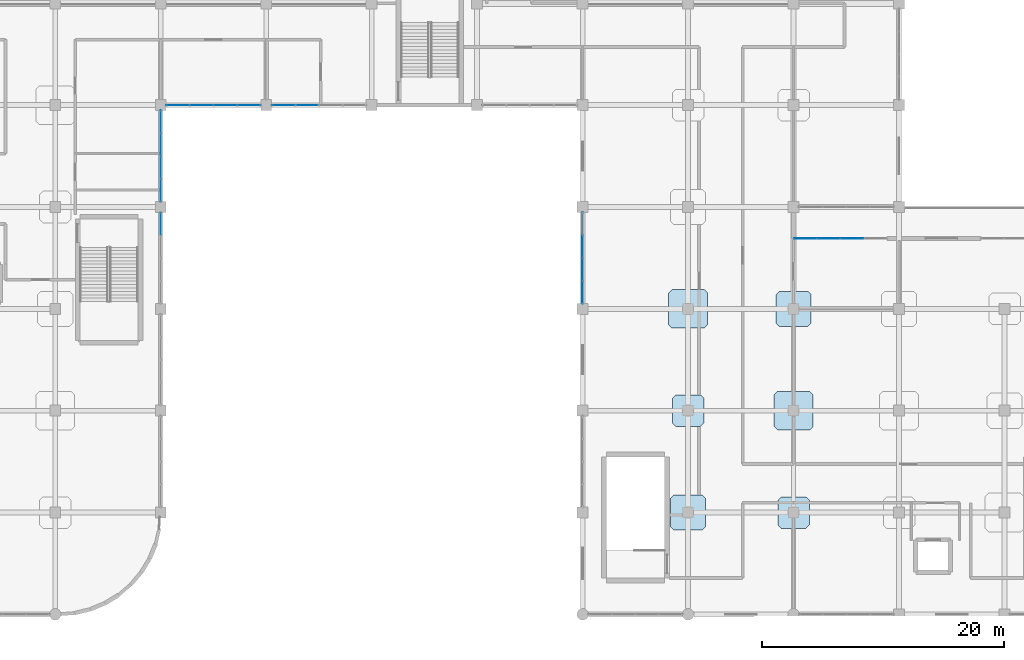
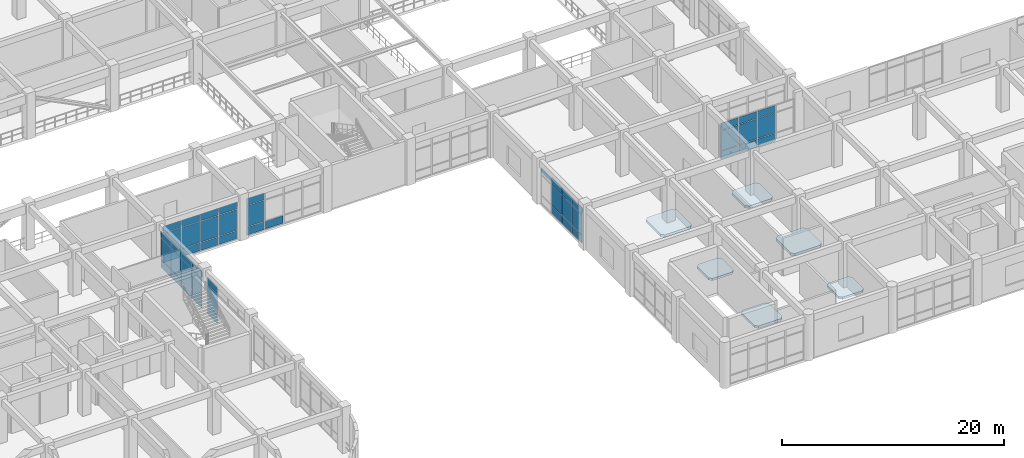
# One storey, part 90 of 120: 52 plates, 6 slabs, 6 elements without a shape of their own.
"""IFC4 building model written with IfcOpenShell, lengths in metres."""

import ifcopenshell
import ifcopenshell.guid

model = None  # the IFC model being written
_history = None  # IfcOwnerHistory: only IFC2X3 demands one
_inside = {}  # id of a spatial element -> (the spatial element, [elements in it])
_under = {}  # id of a project, library or spatial element -> (it, [spatial elements below it])
_declared = {}  # id of a project -> (the project, [libraries it declares])
_typed = {}  # id of a type object -> (the type object, [elements of that type])
_made_of = {}  # id of a material, layer set ... -> (it, [elements and type objects made of it])


def new_model(schema):
    """Start an empty IFC model of exactly this schema.

    Asked for "IFC4X3", IfcOpenShell would pick the latest addendum, in which some entities
    have other attributes; the version numbers below select the first issue.
    IFC2X3 requires an IfcOwnerHistory on every rooted entity: one is made here for all.
    """
    global model, _history
    if schema == "IFC4X3":
        model = ifcopenshell.file(schema_version=(4, 3, 0, 0))
    else:
        model = ifcopenshell.file(schema=schema)
    _inside.clear()
    _under.clear()
    _declared.clear()
    _typed.clear()
    _made_of.clear()
    _history = None
    if model.schema == "IFC2X3":
        org = make("IfcOrganization", Name="unknown")
        user = make(
            "IfcPersonAndOrganization",
            ThePerson=make("IfcPerson", FamilyName="unknown"),
            TheOrganization=org,
        )
        app = make(
            "IfcApplication",
            ApplicationDeveloper=org,
            Version="unknown",
            ApplicationFullName="unknown",
            ApplicationIdentifier="unknown",
        )
        _history = make(
            "IfcOwnerHistory",
            OwningUser=user,
            OwningApplication=app,
            ChangeAction="ADDED",
            CreationDate=0,
        )
    return model


def make(cls, **values):
    """One entity of the class cls with the attributes given. An attribute that is None is left unset."""
    return model.create_entity(
        cls, **{name: value for name, value in values.items() if value is not None}
    )


def rooted(cls, **values):
    """An entity with a GlobalId (a new one), such as an element, a storey or a relation."""
    return make(cls, GlobalId=ifcopenshell.guid.new(), OwnerHistory=_history, **values)


def si_unit(unit_type, name, prefix=None):
    """IfcSIUnit, for example si_unit("LENGTHUNIT", "METRE", prefix="MILLI")."""
    return make("IfcSIUnit", UnitType=unit_type, Prefix=prefix, Name=name)


def derived_unit(unit_type, elements):
    """IfcDerivedUnit: a product of units, each with its exponent."""
    return make(
        "IfcDerivedUnit",
        Elements=[
            make("IfcDerivedUnitElement", Unit=unit, Exponent=power)
            for unit, power in elements
        ],
        UnitType=unit_type,
    )


def assignment(units):
    """IfcUnitAssignment: the units of a project."""
    return None if units is None else make("IfcUnitAssignment", Units=units)


def point(xyz):
    """IfcCartesianPoint."""
    return None if xyz is None else make("IfcCartesianPoint", Coordinates=xyz)


def direction(xyz):
    """IfcDirection."""
    return None if xyz is None else make("IfcDirection", DirectionRatios=xyz)


def frame(location, z_axis=None, x_axis=None):
    """IfcAxis2Placement3D, a coordinate frame: its origin and axes. An axis left out is left unset."""
    return make(
        "IfcAxis2Placement3D",
        Location=point(location),
        Axis=direction(z_axis),
        RefDirection=direction(x_axis),
    )


def frame_2d(location, x_axis=None):
    """IfcAxis2Placement2D, a coordinate frame in the plane: its origin and x axis."""
    return make(
        "IfcAxis2Placement2D", Location=point(location), RefDirection=direction(x_axis)
    )


def origin():
    """The frame at (0, 0, 0) with its axes left unset."""
    return frame((0.0, 0.0, 0.0))


def origin_2d():
    """The frame at (0, 0) in the plane with its x axis left unset."""
    return frame_2d((0.0, 0.0))


def place(relative_to, where):
    """IfcLocalPlacement: puts the frame where relative to a parent placement (None: the world)."""
    return make(
        "IfcLocalPlacement", PlacementRelTo=relative_to, RelativePlacement=where
    )


def context(
    kind, dimensions, precision=None, world=None, true_north=None, identifier=None
):
    """IfcGeometricRepresentationContext, for example the 3D "Model" context."""
    return make(
        "IfcGeometricRepresentationContext",
        ContextIdentifier=identifier,
        ContextType=kind,
        CoordinateSpaceDimension=dimensions,
        Precision=precision,
        WorldCoordinateSystem=world,
        TrueNorth=true_north,
    )


def subcontext(parent, identifier, kind, view, scale=None):
    """IfcGeometricRepresentationSubContext, for example "Body" below "Model"."""
    return make(
        "IfcGeometricRepresentationSubContext",
        ContextIdentifier=identifier,
        ContextType=kind,
        ParentContext=parent,
        TargetScale=scale,
        TargetView=view,
    )


def project(units=None, contexts=None):
    """IfcProject with its units and contexts."""
    return rooted(
        "IfcProject",
        Name="project",
        RepresentationContexts=contexts,
        UnitsInContext=assignment(units),
    )


def spatial(cls, under=None, at=None, **own):
    """A site, building, storey or space (cls), placed at a placement, below another one or the project."""
    s = rooted(cls, ObjectPlacement=at, **own)
    if under is not None:
        _under.setdefault(under.id(), (under, []))[1].append(s)
    return s


def polyline(points):
    """IfcPolyline through the points."""
    return make("IfcPolyline", Points=[point(p) for p in points])


def profile(cls, at=None, kind="AREA", **sizes):
    """A parametric profile (cls). Its sizes go by their IFC names, for example OverallWidth=200.0."""
    return make(cls, ProfileType=kind, Position=at, **sizes)


def rectangle(**sizes):
    """IfcRectangleProfileDef."""
    return profile("IfcRectangleProfileDef", **sizes)


def outline(outer, holes=None, kind="AREA"):
    """IfcArbitraryClosedProfileDef: a profile drawn as a closed curve; with holes, ...WithVoids."""
    if holes is None:
        return make("IfcArbitraryClosedProfileDef", ProfileType=kind, OuterCurve=outer)
    return make(
        "IfcArbitraryProfileDefWithVoids",
        ProfileType=kind,
        OuterCurve=outer,
        InnerCurves=holes,
    )


def extrude(swept, where, along, depth):
    """IfcExtrudedAreaSolid: the profile swept, set in the frame where, extruded along a direction by depth."""
    return make(
        "IfcExtrudedAreaSolid",
        SweptArea=swept,
        Position=where,
        ExtrudedDirection=direction(along),
        Depth=depth,
    )


def shape(context_of_items, identifier, shape_type, items):
    """IfcShapeRepresentation: the items that make up one representation, for example the "Body"."""
    return make(
        "IfcShapeRepresentation",
        ContextOfItems=context_of_items,
        RepresentationIdentifier=identifier,
        RepresentationType=shape_type,
        Items=items,
    )


def material(Name=None, Category=None):
    """IfcMaterial."""
    return make("IfcMaterial", Name=Name, Category=Category)


def layer(
    of_material, thickness, ventilated=None, Name=None, Category=None, Priority=None
):
    """IfcMaterialLayer: one layer of a wall or slab, of a material (None: an air gap)."""
    return make(
        "IfcMaterialLayer",
        Material=of_material,
        LayerThickness=thickness,
        IsVentilated=ventilated,
        Name=Name,
        Category=Category,
        Priority=Priority,
    )


def layer_set(layers, Name=None):
    """IfcMaterialLayerSet."""
    return make("IfcMaterialLayerSet", MaterialLayers=layers, LayerSetName=Name)


def made_of(thing, what):
    """Note that an element or type object is made of a material, layer set ...; save() writes the relation."""
    if what is not None:
        _made_of.setdefault(what.id(), (what, []))[1].append(thing)
    return thing


def type_object(cls, material=None, **own):
    """A type object (cls), such as IfcWallType, which elements share."""
    return made_of(rooted(cls, **own), material)


def element(
    cls,
    number,
    at=None,
    inside=None,
    cuts=None,
    type_object=None,
    material=None,
    context=None,
    identifier="Body",
    shape_type=None,
    held_by="IfcProductDefinitionShape",
    body=None,
    shapes=None,
    **own,
):
    """One element of the class cls, such as IfcWall. Its Tag is "e" and its number.

    at: its placement. inside: the storey or other place that contains it. cuts: it is an
    opening in that element (IfcRelVoidsElement). A single representation is given by context,
    identifier, shape_type and body (its items); several are given by shapes. held_by: the class
    of the entity that holds the representations. save() writes the other relations.
    """
    e = rooted(cls, Tag="e%d" % number, ObjectPlacement=at, **own)
    if body is not None:
        shapes = [shape(context, identifier, shape_type, body)]
    if shapes is not None:
        e.Representation = make(held_by, Representations=shapes)
    if inside is not None:
        _inside.setdefault(inside.id(), (inside, []))[1].append(e)
    if cuts is not None:
        rooted(
            "IfcRelVoidsElement", RelatingBuildingElement=cuts, RelatedOpeningElement=e
        )
    if type_object is not None:
        _typed.setdefault(type_object.id(), (type_object, []))[1].append(e)
    return made_of(e, material)


def aggregate(whole, parts):
    """IfcRelAggregates: a whole, such as a stair, and the parts it consists of."""
    return rooted("IfcRelAggregates", RelatingObject=whole, RelatedObjects=parts)


def save(model, path):
    """Write the relations noted so far, then the file.

    IfcRelAggregates (storeys below a building ...), IfcRelContainedInSpatialStructure (elements
    in a storey), IfcRelDefinesByType, IfcRelAssociatesMaterial and IfcRelDeclares: one each for
    every whole, place, type object, material and project.
    """
    for whole, parts in _under.values():
        aggregate(whole, parts)
    for where, things in _inside.values():
        rooted(
            "IfcRelContainedInSpatialStructure",
            RelatedElements=things,
            RelatingStructure=where,
        )
    for kind, things in _typed.values():
        rooted("IfcRelDefinesByType", RelatedObjects=things, RelatingType=kind)
    for what, things in _made_of.values():
        rooted("IfcRelAssociatesMaterial", RelatedObjects=things, RelatingMaterial=what)
    for by, libraries in _declared.values():
        rooted("IfcRelDeclares", RelatingContext=by, RelatedDefinitions=libraries)
    model.write(path)


model = new_model("IFC4")

# Units and contexts
model_context = context("Model", 3, precision=1e-05, world=origin(), true_north=direction((0.0, 1.0)))
body_context = subcontext(model_context, "Body", "Model", "MODEL_VIEW")
ifc_project = project(units=[si_unit("LENGTHUNIT", "METRE"), si_unit("AREAUNIT", "SQUARE_METRE"), si_unit("VOLUMEUNIT", "CUBIC_METRE"), si_unit("PLANEANGLEUNIT", "RADIAN"), si_unit("MASSUNIT", "GRAM", prefix="KILO"), derived_unit("THERMALTRANSMITTANCEUNIT", [(si_unit("MASSUNIT", "GRAM", prefix="KILO"), 1), (si_unit("TIMEUNIT", "SECOND"), -3), (si_unit("THERMODYNAMICTEMPERATUREUNIT", "KELVIN"), -1)])], contexts=[model_context])

# Site, building, storey
site_placement = place(None, origin())
site = spatial("IfcSite", under=ifc_project, at=site_placement, CompositionType="ELEMENT")
building_placement = place(site_placement, origin())
building = spatial("IfcBuilding", under=site, at=building_placement, Name="Qinzheling Arcade Emporium", CompositionType="ELEMENT")
storey_placement = place(building_placement, frame((0.0, 0.0, 11.39990234375)))
storey = spatial("IfcBuildingStorey", under=building, at=storey_placement, Name="L03", CompositionType="ELEMENT", Elevation=11.39990234375)

# Slabs
ifc_material_1 = material(Name="Concrete C40", Category="concrete")
ifc_layer_1 = layer(ifc_material_1, 0.235107421875, Name="Concrete C40", Category="concrete")
ifc_layer_set_1 = layer_set([ifc_layer_1], Name="Concrete C40")
slab_type_1 = type_object("IfcSlabType", Name="Column Head Drop Panel 2600x2600x235 C40", PredefinedType="USERDEFINED", material=ifc_layer_set_1)
slab_1_placement = place(storey_placement, frame((0.0, 0.0, -0.514892578125)))
element("IfcSlab", 1, at=slab_1_placement, inside=storey, type_object=slab_type_1, Name="Column Drop Panel DP-L03-14-C", ObjectType="DROP_PANEL", PredefinedType="USERDEFINED", context=body_context, shape_type="SweptSolid", body=[
    extrude(outline(polyline([(112.080078125, 15.5), (114.1201171875, 15.5), (114.39990234375, 15.780029296875), (114.39990234375, 17.820068359375), (114.1201171875, 18.10009765625), (112.080078125, 18.10009765625), (111.800048828125, 17.820068359375), (111.800048828125, 15.780029296875), (112.080078125, 15.5)])), origin(), (0.0, 0.0, 1.0), 0.235107421875),
])
slab_2_placement = place(storey_placement, frame((0.0, 0.0, -0.52978515625)))
element("IfcSlab", 2, at=slab_2_placement, inside=storey, type_object=slab_type_1, Name="Column Drop Panel DP-L03-15-B", ObjectType="DROP_PANEL", PredefinedType="USERDEFINED", context=body_context, shape_type="SweptSolid", body=[
    extrude(outline(polyline([(120.780029296875, 7.10009765625), (122.820068359375, 7.10009765625), (123.10009765625, 7.3798828125), (123.10009765625, 9.419921875), (122.820068359375, 9.699951171875), (120.780029296875, 9.699951171875), (120.5, 9.419921875), (120.5, 7.3798828125), (120.780029296875, 7.10009765625)])), origin(), (0.0, 0.0, 1.0), 0.23486328125),
])
ifc_layer_2 = layer(ifc_material_1, 0.27001953125, Name="Concrete C40", Category="concrete")
ifc_layer_set_2 = layer_set([ifc_layer_2], Name="Concrete C40")
slab_type_2 = type_object("IfcSlabType", Name="Column Head Drop Panel 2900x2900x270 C40", PredefinedType="USERDEFINED", material=ifc_layer_set_2)
slab_3_placement = place(storey_placement, frame((0.0, 0.0, -0.5498046875)))
element("IfcSlab", 3, at=slab_3_placement, inside=storey, type_object=slab_type_2, Name="Column Drop Panel DP-L03-14-B", ObjectType="DROP_PANEL", PredefinedType="USERDEFINED", context=body_context, shape_type="SweptSolid", body=[
    extrude(outline(polyline([(111.929931640625, 6.949951171875), (114.27001953125, 6.949951171875), (114.550048828125, 7.22998046875), (114.550048828125, 9.570068359375), (114.27001953125, 9.85009765625), (111.929931640625, 9.85009765625), (111.64990234375, 9.570068359375), (111.64990234375, 7.22998046875), (111.929931640625, 6.949951171875)])), origin(), (0.0, 0.0, 1.0), 0.27001953125),
])
slab_4_placement = place(storey_placement, frame((0.0, 0.0, -0.56494140625)))
element("IfcSlab", 4, at=slab_4_placement, inside=storey, type_object=slab_type_2, Name="Column Drop Panel DP-L03-15-D", ObjectType="DROP_PANEL", PredefinedType="USERDEFINED", context=body_context, shape_type="SweptSolid", body=[
    extrude(outline(polyline([(120.6298828125, 23.75), (122.969970703125, 23.75), (123.25, 24.030029296875), (123.25, 26.3701171875), (122.969970703125, 26.64990234375), (120.6298828125, 26.64990234375), (120.35009765625, 26.3701171875), (120.35009765625, 24.030029296875), (120.6298828125, 23.75)])), origin(), (0.0, 0.0, 1.0), 0.27001953125),
])
ifc_layer_3 = layer(ifc_material_1, 0.300048828125, Name="Concrete C40", Category="concrete")
ifc_layer_set_3 = layer_set([ifc_layer_3], Name="Concrete C40")
slab_type_3 = type_object("IfcSlabType", Name="Column Head Drop Panel 3200x3200x300 C40", PredefinedType="USERDEFINED", material=ifc_layer_set_3)
slab_5_placement = place(storey_placement, frame((0.0, 0.0, -0.579833984375)))
element("IfcSlab", 5, at=slab_5_placement, inside=storey, type_object=slab_type_3, Name="Column Drop Panel DP-L03-14-D", ObjectType="DROP_PANEL", PredefinedType="USERDEFINED", context=body_context, shape_type="SweptSolid", body=[
    extrude(outline(polyline([(111.780029296875, 23.60009765625), (114.419921875, 23.60009765625), (114.699951171875, 23.8798828125), (114.699951171875, 26.52001953125), (114.419921875, 26.800048828125), (111.780029296875, 26.800048828125), (111.5, 26.52001953125), (111.5, 23.8798828125), (111.780029296875, 23.60009765625)])), origin(), (0.0, 0.0, 1.0), 0.300048828125),
])
slab_6_placement = place(storey_placement, frame((0.0, 0.0, -0.594970703125)))
element("IfcSlab", 6, at=slab_6_placement, inside=storey, type_object=slab_type_3, Name="Column Drop Panel DP-L03-15-C", ObjectType="DROP_PANEL", PredefinedType="USERDEFINED", context=body_context, shape_type="SweptSolid", body=[
    extrude(outline(polyline([(120.47998046875, 15.199951171875), (123.1201171875, 15.199951171875), (123.39990234375, 15.47998046875), (123.39990234375, 18.1201171875), (123.1201171875, 18.39990234375), (120.47998046875, 18.39990234375), (120.199951171875, 18.1201171875), (120.199951171875, 15.47998046875), (120.47998046875, 15.199951171875)])), origin(), (0.0, 0.0, 1.0), 0.300048828125),
])

# Curtain wall, plates
ifc_material_2 = material(Name="Anodised aluminium and solar-control double glazing", Category="aluminium")
ifc_layer_4 = layer(ifc_material_2, 0.159912109375, Name="Anodised aluminium and solar-control double glazing", Category="aluminium")
ifc_layer_set_4 = layer_set([ifc_layer_4], Name="Anodised aluminium and solar-control double glazing")
curtain_wall_type_1 = type_object("IfcCurtainWallType", Name="Atrium Clerestory Curtain Wall", PredefinedType="NOTDEFINED", material=ifc_layer_set_4)
curtain_wall_1_placement = place(storey_placement, origin())
curtain_wall_1 = element("IfcCurtainWall", 7, at=curtain_wall_1_placement, inside=storey, type_object=curtain_wall_type_1, Name="Curtain Wall CW-L03-143", PredefinedType="NOTDEFINED")
ifc_material_3 = material(Name="Laminated solar-control double glazing", Category="glass")
ifc_layer_5 = layer(ifc_material_3, 0.02197265625, Name="Laminated solar-control double glazing", Category="glass")
ifc_layer_set_5 = layer_set([ifc_layer_5], Name="Laminated solar-control double glazing")
plate_type_1 = type_object("IfcPlateType", Name="Low-E Double Glazed Curtain Panel 22mm", PredefinedType="CURTAIN_PANEL", material=ifc_layer_set_5)
plate_1_placement = place(storey_placement, frame((81.675537109375, 42.0, 0.06005859375), z_axis=(0.0, 0.0, 1.0), x_axis=(-1.0, 0.0, 0.0)))
plate_1 = element("IfcPlate", 8, at=plate_1_placement, type_object=plate_type_1, Name="CW03 panel 3.1", PredefinedType="CURTAIN_PANEL", context=body_context, shape_type="SweptSolid", body=[
    extrude(rectangle(XDim=1.888916015625, YDim=0.02197265625, at=origin_2d()), origin(), (0.0, 0.0, 1.0), 0.860107421875),
])
plate_2_placement = place(storey_placement, frame((79.741455078125, 42.0, 0.06005859375), z_axis=(0.0, 0.0, 1.0), x_axis=(-1.0, 0.0, 0.0)))
plate_2 = element("IfcPlate", 9, at=plate_2_placement, type_object=plate_type_1, Name="CW03 panel 4.1", PredefinedType="CURTAIN_PANEL", context=body_context, shape_type="SweptSolid", body=[
    extrude(rectangle(XDim=1.85888671875, YDim=0.02197265625, at=origin_2d()), origin(), (0.0, 0.0, 1.0), 0.860107421875),
])
plate_3_placement = place(storey_placement, frame((79.741455078125, 42.0, 0.980224609375), z_axis=(0.0, 0.0, 1.0), x_axis=(-1.0, 0.0, 0.0)))
plate_3 = element("IfcPlate", 10, at=plate_3_placement, type_object=plate_type_1, Name="CW03 panel 4.2", PredefinedType="CURTAIN_PANEL", context=body_context, shape_type="SweptSolid", body=[
    extrude(rectangle(XDim=1.85888671875, YDim=0.02197265625, at=origin_2d()), origin(), (0.0, 0.0, 1.0), 2.294921875),
])
plate_4_placement = place(storey_placement, frame((79.741455078125, 42.0, 3.3349609375), z_axis=(0.0, 0.0, 1.0), x_axis=(-1.0, 0.0, 0.0)))
plate_4 = element("IfcPlate", 11, at=plate_4_placement, type_object=plate_type_1, Name="CW03 panel 4.3", PredefinedType="CURTAIN_PANEL", context=body_context, shape_type="SweptSolid", body=[
    extrude(rectangle(XDim=1.85888671875, YDim=0.02197265625, at=origin_2d()), origin(), (0.0, 0.0, 1.0), 0.760009765625),
])
aggregate(curtain_wall_1, [plate_1, plate_2, plate_3, plate_4])

curtain_wall_2_placement = place(storey_placement, origin())
curtain_wall_2 = element("IfcCurtainWall", 12, at=curtain_wall_2_placement, inside=storey, type_object=curtain_wall_type_1, Name="Curtain Wall CW-L03-144", PredefinedType="NOTDEFINED")
ifc_layer_6 = layer(ifc_material_3, 0.02392578125, Name="Laminated solar-control double glazing", Category="glass")
ifc_layer_set_6 = layer_set([ifc_layer_6], Name="Laminated solar-control double glazing")
plate_type_2 = type_object("IfcPlateType", Name="Low-E Double Glazed Curtain Panel 24mm", PredefinedType="CURTAIN_PANEL", material=ifc_layer_set_6)
plate_5_placement = place(storey_placement, frame((76.8583984375, 42.0, 0.06005859375), z_axis=(0.0, 0.0, 1.0), x_axis=(-1.0, 0.0, 0.0)))
plate_5 = element("IfcPlate", 13, at=plate_5_placement, type_object=plate_type_2, Name="CW03 panel 1.1", PredefinedType="CURTAIN_PANEL", context=body_context, shape_type="SweptSolid", body=[
    extrude(rectangle(XDim=1.85888671875, YDim=0.02392578125, at=origin_2d()), origin(), (0.0, 0.0, 1.0), 0.860107421875),
])
plate_6_placement = place(storey_placement, frame((76.8583984375, 42.0, 0.980224609375), z_axis=(0.0, 0.0, 1.0), x_axis=(-1.0, 0.0, 0.0)))
plate_6 = element("IfcPlate", 14, at=plate_6_placement, type_object=plate_type_2, Name="CW03 panel 1.2", PredefinedType="CURTAIN_PANEL", context=body_context, shape_type="SweptSolid", body=[
    extrude(rectangle(XDim=1.85888671875, YDim=0.02392578125, at=origin_2d()), origin(), (0.0, 0.0, 1.0), 2.294921875),
])
plate_7_placement = place(storey_placement, frame((76.8583984375, 42.0, 3.3349609375), z_axis=(0.0, 0.0, 1.0), x_axis=(-1.0, 0.0, 0.0)))
plate_7 = element("IfcPlate", 15, at=plate_7_placement, type_object=plate_type_2, Name="CW03 panel 1.3", PredefinedType="CURTAIN_PANEL", context=body_context, shape_type="SweptSolid", body=[
    extrude(rectangle(XDim=1.85888671875, YDim=0.02392578125, at=origin_2d()), origin(), (0.0, 0.0, 1.0), 0.760009765625),
])
plate_8_placement = place(storey_placement, frame((74.924560546875, 42.0, 0.06005859375), z_axis=(0.0, 0.0, 1.0), x_axis=(-1.0, 0.0, 0.0)))
plate_8 = element("IfcPlate", 16, at=plate_8_placement, type_object=plate_type_2, Name="CW03 panel 2.1", PredefinedType="CURTAIN_PANEL", context=body_context, shape_type="SweptSolid", body=[
    extrude(rectangle(XDim=1.888916015625, YDim=0.02392578125, at=origin_2d()), origin(), (0.0, 0.0, 1.0), 0.860107421875),
])
plate_9_placement = place(storey_placement, frame((74.924560546875, 42.0, 0.980224609375), z_axis=(0.0, 0.0, 1.0), x_axis=(-1.0, 0.0, 0.0)))
plate_9 = element("IfcPlate", 17, at=plate_9_placement, type_object=plate_type_2, Name="CW03 panel 2.2", PredefinedType="CURTAIN_PANEL", context=body_context, shape_type="SweptSolid", body=[
    extrude(rectangle(XDim=1.888916015625, YDim=0.02392578125, at=origin_2d()), origin(), (0.0, 0.0, 1.0), 2.294921875),
])
plate_10_placement = place(storey_placement, frame((74.924560546875, 42.0, 3.3349609375), z_axis=(0.0, 0.0, 1.0), x_axis=(-1.0, 0.0, 0.0)))
plate_10 = element("IfcPlate", 18, at=plate_10_placement, type_object=plate_type_2, Name="CW03 panel 2.3", PredefinedType="CURTAIN_PANEL", context=body_context, shape_type="SweptSolid", body=[
    extrude(rectangle(XDim=1.888916015625, YDim=0.02392578125, at=origin_2d()), origin(), (0.0, 0.0, 1.0), 0.760009765625),
])
plate_11_placement = place(storey_placement, frame((72.9755859375, 42.0, 0.06005859375), z_axis=(0.0, 0.0, 1.0), x_axis=(-1.0, 0.0, 0.0)))
plate_11 = element("IfcPlate", 19, at=plate_11_placement, type_object=plate_type_2, Name="CW03 panel 3.1", PredefinedType="CURTAIN_PANEL", context=body_context, shape_type="SweptSolid", body=[
    extrude(rectangle(XDim=1.888916015625, YDim=0.02392578125, at=origin_2d()), origin(), (0.0, 0.0, 1.0), 0.860107421875),
])
plate_12_placement = place(storey_placement, frame((72.9755859375, 42.0, 0.980224609375), z_axis=(0.0, 0.0, 1.0), x_axis=(-1.0, 0.0, 0.0)))
plate_12 = element("IfcPlate", 20, at=plate_12_placement, type_object=plate_type_2, Name="CW03 panel 3.2", PredefinedType="CURTAIN_PANEL", context=body_context, shape_type="SweptSolid", body=[
    extrude(rectangle(XDim=1.888916015625, YDim=0.02392578125, at=origin_2d()), origin(), (0.0, 0.0, 1.0), 2.294921875),
])
plate_13_placement = place(storey_placement, frame((72.9755859375, 42.0, 3.3349609375), z_axis=(0.0, 0.0, 1.0), x_axis=(-1.0, 0.0, 0.0)))
plate_13 = element("IfcPlate", 21, at=plate_13_placement, type_object=plate_type_2, Name="CW03 panel 3.3", PredefinedType="CURTAIN_PANEL", context=body_context, shape_type="SweptSolid", body=[
    extrude(rectangle(XDim=1.888916015625, YDim=0.02392578125, at=origin_2d()), origin(), (0.0, 0.0, 1.0), 0.760009765625),
])
plate_14_placement = place(storey_placement, frame((71.04150390625, 42.0, 0.06005859375), z_axis=(0.0, 0.0, 1.0), x_axis=(-1.0, 0.0, 0.0)))
plate_14 = element("IfcPlate", 22, at=plate_14_placement, type_object=plate_type_2, Name="CW03 panel 4.1", PredefinedType="CURTAIN_PANEL", context=body_context, shape_type="SweptSolid", body=[
    extrude(rectangle(XDim=1.85888671875, YDim=0.02392578125, at=origin_2d()), origin(), (0.0, 0.0, 1.0), 0.860107421875),
])
plate_15_placement = place(storey_placement, frame((71.04150390625, 42.0, 0.980224609375), z_axis=(0.0, 0.0, 1.0), x_axis=(-1.0, 0.0, 0.0)))
plate_15 = element("IfcPlate", 23, at=plate_15_placement, type_object=plate_type_2, Name="CW03 panel 4.2", PredefinedType="CURTAIN_PANEL", context=body_context, shape_type="SweptSolid", body=[
    extrude(rectangle(XDim=1.85888671875, YDim=0.02392578125, at=origin_2d()), origin(), (0.0, 0.0, 1.0), 2.294921875),
])
plate_16_placement = place(storey_placement, frame((71.04150390625, 42.0, 3.3349609375), z_axis=(0.0, 0.0, 1.0), x_axis=(-1.0, 0.0, 0.0)))
plate_16 = element("IfcPlate", 24, at=plate_16_placement, type_object=plate_type_2, Name="CW03 panel 4.3", PredefinedType="CURTAIN_PANEL", context=body_context, shape_type="SweptSolid", body=[
    extrude(rectangle(XDim=1.85888671875, YDim=0.02392578125, at=origin_2d()), origin(), (0.0, 0.0, 1.0), 0.760009765625),
])
aggregate(curtain_wall_2, [plate_5, plate_6, plate_7, plate_8, plate_9, plate_10, plate_11, plate_12, plate_13, plate_14, plate_15, plate_16])

ifc_layer_7 = layer(ifc_material_2, 0.159912109375, Name="Anodised aluminium and solar-control double glazing", Category="aluminium")
ifc_layer_set_7 = layer_set([ifc_layer_7], Name="Anodised aluminium and solar-control double glazing")
curtain_wall_type_2 = type_object("IfcCurtainWallType", Name="Arcade Portal Glazed Curtain Wall", PredefinedType="NOTDEFINED", material=ifc_layer_set_7)
curtain_wall_3_placement = place(storey_placement, origin())
curtain_wall_3 = element("IfcCurtainWall", 25, at=curtain_wall_3_placement, inside=storey, type_object=curtain_wall_type_2, Name="Curtain Wall CW-L03-145", PredefinedType="NOTDEFINED")
ifc_layer_8 = layer(ifc_material_3, 0.02490234375, Name="Laminated solar-control double glazing", Category="glass")
ifc_layer_set_8 = layer_set([ifc_layer_8], Name="Laminated solar-control double glazing")
plate_type_3 = type_object("IfcPlateType", Name="Low-E Double Glazed Curtain Panel 25mm", PredefinedType="CURTAIN_PANEL", material=ifc_layer_set_8)
plate_17_placement = place(storey_placement, frame((69.60009765625, 40.595947265625, 0.06005859375), z_axis=(0.0, 0.0, 1.0), x_axis=(0.0, -1.0, 0.0)))
plate_17 = element("IfcPlate", 26, at=plate_17_placement, type_object=plate_type_3, Name="CW05 panel 1.1", PredefinedType="CURTAIN_PANEL", context=body_context, shape_type="SweptSolid", body=[
    extrude(rectangle(XDim=1.783935546875, YDim=0.02490234375, at=origin_2d()), origin(), (0.0, 0.0, 1.0), 0.860107421875),
])
plate_18_placement = place(storey_placement, frame((69.60009765625, 40.595947265625, 0.980224609375), z_axis=(0.0, 0.0, 1.0), x_axis=(0.0, -1.0, 0.0)))
plate_18 = element("IfcPlate", 27, at=plate_18_placement, type_object=plate_type_3, Name="CW05 panel 1.2", PredefinedType="CURTAIN_PANEL", context=body_context, shape_type="SweptSolid", body=[
    extrude(rectangle(XDim=1.783935546875, YDim=0.02490234375, at=origin_2d()), origin(), (0.0, 0.0, 1.0), 2.294921875),
])
plate_19_placement = place(storey_placement, frame((69.60009765625, 40.595947265625, 3.3349609375), z_axis=(0.0, 0.0, 1.0), x_axis=(0.0, -1.0, 0.0)))
plate_19 = element("IfcPlate", 28, at=plate_19_placement, type_object=plate_type_3, Name="CW05 panel 1.3", PredefinedType="CURTAIN_PANEL", context=body_context, shape_type="SweptSolid", body=[
    extrude(rectangle(XDim=1.783935546875, YDim=0.02490234375, at=origin_2d()), origin(), (0.0, 0.0, 1.0), 0.760009765625),
])
plate_20_placement = place(storey_placement, frame((69.60009765625, 38.737060546875, 0.06005859375), z_axis=(0.0, 0.0, 1.0), x_axis=(0.0, -1.0, 0.0)))
plate_20 = element("IfcPlate", 29, at=plate_20_placement, type_object=plate_type_3, Name="CW05 panel 2.1", PredefinedType="CURTAIN_PANEL", context=body_context, shape_type="SweptSolid", body=[
    extrude(rectangle(XDim=1.81396484375, YDim=0.02490234375, at=origin_2d()), origin(), (0.0, 0.0, 1.0), 0.860107421875),
])
plate_21_placement = place(storey_placement, frame((69.60009765625, 38.737060546875, 0.980224609375), z_axis=(0.0, 0.0, 1.0), x_axis=(0.0, -1.0, 0.0)))
plate_21 = element("IfcPlate", 30, at=plate_21_placement, type_object=plate_type_3, Name="CW05 panel 2.2", PredefinedType="CURTAIN_PANEL", context=body_context, shape_type="SweptSolid", body=[
    extrude(rectangle(XDim=1.81396484375, YDim=0.02490234375, at=origin_2d()), origin(), (0.0, 0.0, 1.0), 2.294921875),
])
plate_22_placement = place(storey_placement, frame((69.60009765625, 38.737060546875, 3.3349609375), z_axis=(0.0, 0.0, 1.0), x_axis=(0.0, -1.0, 0.0)))
plate_22 = element("IfcPlate", 31, at=plate_22_placement, type_object=plate_type_3, Name="CW05 panel 2.3", PredefinedType="CURTAIN_PANEL", context=body_context, shape_type="SweptSolid", body=[
    extrude(rectangle(XDim=1.81396484375, YDim=0.02490234375, at=origin_2d()), origin(), (0.0, 0.0, 1.0), 0.760009765625),
])
plate_23_placement = place(storey_placement, frame((69.60009765625, 36.863037109375, 0.06005859375), z_axis=(0.0, 0.0, 1.0), x_axis=(0.0, -1.0, 0.0)))
plate_23 = element("IfcPlate", 32, at=plate_23_placement, type_object=plate_type_3, Name="CW05 panel 3.1", PredefinedType="CURTAIN_PANEL", context=body_context, shape_type="SweptSolid", body=[
    extrude(rectangle(XDim=1.81396484375, YDim=0.02490234375, at=origin_2d()), origin(), (0.0, 0.0, 1.0), 0.860107421875),
])
plate_24_placement = place(storey_placement, frame((69.60009765625, 36.863037109375, 0.980224609375), z_axis=(0.0, 0.0, 1.0), x_axis=(0.0, -1.0, 0.0)))
plate_24 = element("IfcPlate", 33, at=plate_24_placement, type_object=plate_type_3, Name="CW05 panel 3.2", PredefinedType="CURTAIN_PANEL", context=body_context, shape_type="SweptSolid", body=[
    extrude(rectangle(XDim=1.81396484375, YDim=0.02490234375, at=origin_2d()), origin(), (0.0, 0.0, 1.0), 2.294921875),
])
plate_25_placement = place(storey_placement, frame((69.60009765625, 36.863037109375, 3.3349609375), z_axis=(0.0, 0.0, 1.0), x_axis=(0.0, -1.0, 0.0)))
plate_25 = element("IfcPlate", 34, at=plate_25_placement, type_object=plate_type_3, Name="CW05 panel 3.3", PredefinedType="CURTAIN_PANEL", context=body_context, shape_type="SweptSolid", body=[
    extrude(rectangle(XDim=1.81396484375, YDim=0.02490234375, at=origin_2d()), origin(), (0.0, 0.0, 1.0), 0.760009765625),
])
plate_26_placement = place(storey_placement, frame((69.60009765625, 35.00390625, 0.06005859375), z_axis=(0.0, 0.0, 1.0), x_axis=(0.0, -1.0, 0.0)))
plate_26 = element("IfcPlate", 35, at=plate_26_placement, type_object=plate_type_3, Name="CW05 panel 4.1", PredefinedType="CURTAIN_PANEL", context=body_context, shape_type="SweptSolid", body=[
    extrude(rectangle(XDim=1.783935546875, YDim=0.02490234375, at=origin_2d()), origin(), (0.0, 0.0, 1.0), 0.860107421875),
])
plate_27_placement = place(storey_placement, frame((69.60009765625, 35.00390625, 0.980224609375), z_axis=(0.0, 0.0, 1.0), x_axis=(0.0, -1.0, 0.0)))
plate_27 = element("IfcPlate", 36, at=plate_27_placement, type_object=plate_type_3, Name="CW05 panel 4.2", PredefinedType="CURTAIN_PANEL", context=body_context, shape_type="SweptSolid", body=[
    extrude(rectangle(XDim=1.783935546875, YDim=0.02490234375, at=origin_2d()), origin(), (0.0, 0.0, 1.0), 2.294921875),
])
plate_28_placement = place(storey_placement, frame((69.60009765625, 35.00390625, 3.3349609375), z_axis=(0.0, 0.0, 1.0), x_axis=(0.0, -1.0, 0.0)))
plate_28 = element("IfcPlate", 37, at=plate_28_placement, type_object=plate_type_3, Name="CW05 panel 4.3", PredefinedType="CURTAIN_PANEL", context=body_context, shape_type="SweptSolid", body=[
    extrude(rectangle(XDim=1.783935546875, YDim=0.02490234375, at=origin_2d()), origin(), (0.0, 0.0, 1.0), 0.760009765625),
])
aggregate(curtain_wall_3, [plate_17, plate_18, plate_19, plate_20, plate_21, plate_22, plate_23, plate_24, plate_25, plate_26, plate_27, plate_28])

curtain_wall_4_placement = place(storey_placement, origin())
curtain_wall_4 = element("IfcCurtainWall", 38, at=curtain_wall_4_placement, inside=storey, type_object=curtain_wall_type_2, Name="Curtain Wall CW-L03-146", PredefinedType="NOTDEFINED")
ifc_layer_9 = layer(ifc_material_3, 0.02587890625, Name="Laminated solar-control double glazing", Category="glass")
ifc_layer_set_9 = layer_set([ifc_layer_9], Name="Laminated solar-control double glazing")
plate_type_4 = type_object("IfcPlateType", Name="Low-E Double Glazed Curtain Panel 26mm", PredefinedType="CURTAIN_PANEL", material=ifc_layer_set_9)
plate_29_placement = place(storey_placement, frame((69.60009765625, 32.196044921875, 0.06005859375), z_axis=(0.0, 0.0, 1.0), x_axis=(0.0, -1.0, 0.0)))
plate_29 = element("IfcPlate", 39, at=plate_29_placement, type_object=plate_type_4, Name="CW05 panel 1.1", PredefinedType="CURTAIN_PANEL", context=body_context, shape_type="SweptSolid", body=[
    extrude(rectangle(XDim=1.783935546875, YDim=0.02587890625, at=origin_2d()), origin(), (0.0, 0.0, 1.0), 0.860107421875),
])
plate_30_placement = place(storey_placement, frame((69.60009765625, 32.196044921875, 0.980224609375), z_axis=(0.0, 0.0, 1.0), x_axis=(0.0, -1.0, 0.0)))
plate_30 = element("IfcPlate", 40, at=plate_30_placement, type_object=plate_type_4, Name="CW05 panel 1.2", PredefinedType="CURTAIN_PANEL", context=body_context, shape_type="SweptSolid", body=[
    extrude(rectangle(XDim=1.783935546875, YDim=0.02587890625, at=origin_2d()), origin(), (0.0, 0.0, 1.0), 2.294921875),
])
plate_31_placement = place(storey_placement, frame((69.60009765625, 32.196044921875, 3.3349609375), z_axis=(0.0, 0.0, 1.0), x_axis=(0.0, -1.0, 0.0)))
plate_31 = element("IfcPlate", 41, at=plate_31_placement, type_object=plate_type_4, Name="CW05 panel 1.3", PredefinedType="CURTAIN_PANEL", context=body_context, shape_type="SweptSolid", body=[
    extrude(rectangle(XDim=1.783935546875, YDim=0.02587890625, at=origin_2d()), origin(), (0.0, 0.0, 1.0), 0.760009765625),
])
aggregate(curtain_wall_4, [plate_29, plate_30, plate_31])

curtain_wall_5_placement = place(storey_placement, origin())
curtain_wall_5 = element("IfcCurtainWall", 42, at=curtain_wall_5_placement, inside=storey, type_object=curtain_wall_type_2, Name="Curtain Wall CW-L03-141", PredefinedType="NOTDEFINED")
ifc_layer_10 = layer(ifc_material_3, 0.0419921875, Name="Laminated solar-control double glazing", Category="glass")
ifc_layer_set_10 = layer_set([ifc_layer_10], Name="Laminated solar-control double glazing")
plate_type_5 = type_object("IfcPlateType", Name="Low-E Double Glazed Curtain Panel 42mm", PredefinedType="CURTAIN_PANEL", material=ifc_layer_set_10)
plate_32_placement = place(storey_placement, frame((104.39990234375, 26.60400390625, 0.06005859375), z_axis=(0.0, 0.0, 1.0), x_axis=(0.0, 1.0, 0.0)))
plate_32 = element("IfcPlate", 43, at=plate_32_placement, type_object=plate_type_5, Name="CW05 panel 1.1", PredefinedType="CURTAIN_PANEL", context=body_context, shape_type="SweptSolid", body=[
    extrude(rectangle(XDim=1.783935546875, YDim=0.0419921875, at=origin_2d()), origin(), (0.0, 0.0, 1.0), 0.860107421875),
])
plate_33_placement = place(storey_placement, frame((104.39990234375, 26.60400390625, 0.97998046875), z_axis=(0.0, 0.0, 1.0), x_axis=(0.0, 1.0, 0.0)))
plate_33 = element("IfcPlate", 44, at=plate_33_placement, type_object=plate_type_5, Name="CW05 panel 1.2", PredefinedType="CURTAIN_PANEL", context=body_context, shape_type="SweptSolid", body=[
    extrude(rectangle(XDim=1.783935546875, YDim=0.0419921875, at=origin_2d()), origin(), (0.0, 0.0, 1.0), 2.195068359375),
])
plate_34_placement = place(storey_placement, frame((104.39990234375, 26.60400390625, 3.23486328125), z_axis=(0.0, 0.0, 1.0), x_axis=(0.0, 1.0, 0.0)))
plate_34 = element("IfcPlate", 45, at=plate_34_placement, type_object=plate_type_5, Name="CW05 panel 1.3", PredefinedType="CURTAIN_PANEL", context=body_context, shape_type="SweptSolid", body=[
    extrude(rectangle(XDim=1.783935546875, YDim=0.0419921875, at=origin_2d()), origin(), (0.0, 0.0, 1.0), 0.760009765625),
])
plate_35_placement = place(storey_placement, frame((104.39990234375, 28.462890625, 0.06005859375), z_axis=(0.0, 0.0, 1.0), x_axis=(0.0, 1.0, 0.0)))
plate_35 = element("IfcPlate", 46, at=plate_35_placement, type_object=plate_type_5, Name="CW05 panel 2.1", PredefinedType="CURTAIN_PANEL", context=body_context, shape_type="SweptSolid", body=[
    extrude(rectangle(XDim=1.81396484375, YDim=0.0419921875, at=origin_2d()), origin(), (0.0, 0.0, 1.0), 0.860107421875),
])
plate_36_placement = place(storey_placement, frame((104.39990234375, 28.462890625, 0.97998046875), z_axis=(0.0, 0.0, 1.0), x_axis=(0.0, 1.0, 0.0)))
plate_36 = element("IfcPlate", 47, at=plate_36_placement, type_object=plate_type_5, Name="CW05 panel 2.2", PredefinedType="CURTAIN_PANEL", context=body_context, shape_type="SweptSolid", body=[
    extrude(rectangle(XDim=1.81396484375, YDim=0.0419921875, at=origin_2d()), origin(), (0.0, 0.0, 1.0), 2.195068359375),
])
plate_37_placement = place(storey_placement, frame((104.39990234375, 28.462890625, 3.23486328125), z_axis=(0.0, 0.0, 1.0), x_axis=(0.0, 1.0, 0.0)))
plate_37 = element("IfcPlate", 48, at=plate_37_placement, type_object=plate_type_5, Name="CW05 panel 2.3", PredefinedType="CURTAIN_PANEL", context=body_context, shape_type="SweptSolid", body=[
    extrude(rectangle(XDim=1.81396484375, YDim=0.0419921875, at=origin_2d()), origin(), (0.0, 0.0, 1.0), 0.760009765625),
])
plate_38_placement = place(storey_placement, frame((104.39990234375, 30.3369140625, 0.06005859375), z_axis=(0.0, 0.0, 1.0), x_axis=(0.0, 1.0, 0.0)))
plate_38 = element("IfcPlate", 49, at=plate_38_placement, type_object=plate_type_5, Name="CW05 panel 3.1", PredefinedType="CURTAIN_PANEL", context=body_context, shape_type="SweptSolid", body=[
    extrude(rectangle(XDim=1.81396484375, YDim=0.0419921875, at=origin_2d()), origin(), (0.0, 0.0, 1.0), 0.860107421875),
])
plate_39_placement = place(storey_placement, frame((104.39990234375, 30.3369140625, 0.97998046875), z_axis=(0.0, 0.0, 1.0), x_axis=(0.0, 1.0, 0.0)))
plate_39 = element("IfcPlate", 50, at=plate_39_placement, type_object=plate_type_5, Name="CW05 panel 3.2", PredefinedType="CURTAIN_PANEL", context=body_context, shape_type="SweptSolid", body=[
    extrude(rectangle(XDim=1.81396484375, YDim=0.0419921875, at=origin_2d()), origin(), (0.0, 0.0, 1.0), 2.195068359375),
])
plate_40_placement = place(storey_placement, frame((104.39990234375, 30.3369140625, 3.23486328125), z_axis=(0.0, 0.0, 1.0), x_axis=(0.0, 1.0, 0.0)))
plate_40 = element("IfcPlate", 51, at=plate_40_placement, type_object=plate_type_5, Name="CW05 panel 3.3", PredefinedType="CURTAIN_PANEL", context=body_context, shape_type="SweptSolid", body=[
    extrude(rectangle(XDim=1.81396484375, YDim=0.0419921875, at=origin_2d()), origin(), (0.0, 0.0, 1.0), 0.760009765625),
])
aggregate(curtain_wall_5, [plate_32, plate_33, plate_34, plate_35, plate_36, plate_37, plate_38, plate_39, plate_40])

ifc_layer_11 = layer(ifc_material_2, 0.159912109375, Name="Anodised aluminium and solar-control double glazing", Category="aluminium")
ifc_layer_set_11 = layer_set([ifc_layer_11], Name="Anodised aluminium and solar-control double glazing")
curtain_wall_type_3 = type_object("IfcCurtainWallType", Name="Food Hall Loggia Curtain Wall", PredefinedType="NOTDEFINED", material=ifc_layer_set_11)
curtain_wall_6_placement = place(storey_placement, origin())
curtain_wall_6 = element("IfcCurtainWall", 52, at=curtain_wall_6_placement, inside=storey, type_object=curtain_wall_type_3, Name="Curtain Wall CW-L03-205", PredefinedType="NOTDEFINED")
plate_41_placement = place(storey_placement, frame((122.77978515625, 31.0, 0.06005859375), z_axis=(0.0, 0.0, 1.0), x_axis=(1.0, 0.0, 0.0)))
plate_41 = element("IfcPlate", 53, at=plate_41_placement, type_object=plate_type_5, Name="CW04 panel 1.1", PredefinedType="CURTAIN_PANEL", context=body_context, shape_type="SweptSolid", body=[
    extrude(rectangle(XDim=1.839599609375, YDim=0.0419921875, at=origin_2d()), origin(), (0.0, 0.0, 1.0), 0.860107421875),
])
plate_42_placement = place(storey_placement, frame((122.77978515625, 31.0, 0.97998046875), z_axis=(0.0, 0.0, 1.0), x_axis=(1.0, 0.0, 0.0)))
plate_42 = element("IfcPlate", 54, at=plate_42_placement, type_object=plate_type_5, Name="CW04 panel 1.2", PredefinedType="CURTAIN_PANEL", context=body_context, shape_type="SweptSolid", body=[
    extrude(rectangle(XDim=1.839599609375, YDim=0.0419921875, at=origin_2d()), origin(), (0.0, 0.0, 1.0), 2.195068359375),
])
plate_43_placement = place(storey_placement, frame((122.77978515625, 31.0, 3.23486328125), z_axis=(0.0, 0.0, 1.0), x_axis=(1.0, 0.0, 0.0)))
plate_43 = element("IfcPlate", 55, at=plate_43_placement, type_object=plate_type_5, Name="CW04 panel 1.3", PredefinedType="CURTAIN_PANEL", context=body_context, shape_type="SweptSolid", body=[
    extrude(rectangle(XDim=1.839599609375, YDim=0.0419921875, at=origin_2d()), origin(), (0.0, 0.0, 1.0), 0.760009765625),
])
plate_44_placement = place(storey_placement, frame((124.6943359375, 31.0, 0.06005859375), z_axis=(0.0, 0.0, 1.0), x_axis=(1.0, 0.0, 0.0)))
plate_44 = element("IfcPlate", 56, at=plate_44_placement, type_object=plate_type_5, Name="CW04 panel 2.1", PredefinedType="CURTAIN_PANEL", context=body_context, shape_type="SweptSolid", body=[
    extrude(rectangle(XDim=1.869384765625, YDim=0.0419921875, at=origin_2d()), origin(), (0.0, 0.0, 1.0), 0.860107421875),
])
plate_45_placement = place(storey_placement, frame((124.6943359375, 31.0, 0.97998046875), z_axis=(0.0, 0.0, 1.0), x_axis=(1.0, 0.0, 0.0)))
plate_45 = element("IfcPlate", 57, at=plate_45_placement, type_object=plate_type_5, Name="CW04 panel 2.2", PredefinedType="CURTAIN_PANEL", context=body_context, shape_type="SweptSolid", body=[
    extrude(rectangle(XDim=1.869384765625, YDim=0.0419921875, at=origin_2d()), origin(), (0.0, 0.0, 1.0), 2.195068359375),
])
plate_46_placement = place(storey_placement, frame((124.6943359375, 31.0, 3.23486328125), z_axis=(0.0, 0.0, 1.0), x_axis=(1.0, 0.0, 0.0)))
plate_46 = element("IfcPlate", 58, at=plate_46_placement, type_object=plate_type_5, Name="CW04 panel 2.3", PredefinedType="CURTAIN_PANEL", context=body_context, shape_type="SweptSolid", body=[
    extrude(rectangle(XDim=1.869384765625, YDim=0.0419921875, at=origin_2d()), origin(), (0.0, 0.0, 1.0), 0.760009765625),
])
plate_47_placement = place(storey_placement, frame((126.623779296875, 31.0, 0.06005859375), z_axis=(0.0, 0.0, 1.0), x_axis=(1.0, 0.0, 0.0)))
plate_47 = element("IfcPlate", 59, at=plate_47_placement, type_object=plate_type_5, Name="CW04 panel 3.1", PredefinedType="CURTAIN_PANEL", context=body_context, shape_type="SweptSolid", body=[
    extrude(rectangle(XDim=1.869384765625, YDim=0.0419921875, at=origin_2d()), origin(), (0.0, 0.0, 1.0), 0.860107421875),
])
plate_48_placement = place(storey_placement, frame((126.623779296875, 31.0, 0.97998046875), z_axis=(0.0, 0.0, 1.0), x_axis=(1.0, 0.0, 0.0)))
plate_48 = element("IfcPlate", 60, at=plate_48_placement, type_object=plate_type_5, Name="CW04 panel 3.2", PredefinedType="CURTAIN_PANEL", context=body_context, shape_type="SweptSolid", body=[
    extrude(rectangle(XDim=1.869384765625, YDim=0.0419921875, at=origin_2d()), origin(), (0.0, 0.0, 1.0), 2.195068359375),
])
plate_49_placement = place(storey_placement, frame((126.623779296875, 31.0, 3.23486328125), z_axis=(0.0, 0.0, 1.0), x_axis=(1.0, 0.0, 0.0)))
plate_49 = element("IfcPlate", 61, at=plate_49_placement, type_object=plate_type_5, Name="CW04 panel 3.3", PredefinedType="CURTAIN_PANEL", context=body_context, shape_type="SweptSolid", body=[
    extrude(rectangle(XDim=1.869384765625, YDim=0.0419921875, at=origin_2d()), origin(), (0.0, 0.0, 1.0), 0.760009765625),
])
aggregate(curtain_wall_6, [plate_41, plate_42, plate_43, plate_44, plate_45, plate_46, plate_47, plate_48, plate_49])

# Plates
ifc_material_4 = material(Name="Perforated anodised aluminium sheet", Category="aluminium")
ifc_layer_12 = layer(ifc_material_4, 0.014892578125, Name="Perforated anodised aluminium sheet", Category="aluminium")
ifc_layer_set_12 = layer_set([ifc_layer_12], Name="Perforated anodised aluminium sheet")
plate_type_6 = type_object("IfcPlateType", Name="Typhoon Storm Louvre Blade 15mm", PredefinedType="SHEET", material=ifc_layer_set_12)
plate_50_placement = place(storey_placement, frame((73.949951171875, 42.0, 3.580078125), z_axis=(0.0, 0.0, 1.0), x_axis=(-1.0, 0.0, 0.0)))
element("IfcPlate", 62, at=plate_50_placement, inside=storey, type_object=plate_type_6, Name="Storm Louvre PLT-SLV-L03-029", PredefinedType="SHEET", context=body_context, shape_type="SweptSolid", body=[
    extrude(rectangle(XDim=7.825927734375, YDim=0.014892578125, at=origin_2d()), origin(), (0.0, 0.0, 1.0), 0.449951171875),
])
ifc_layer_13 = layer(ifc_material_4, 0.01806640625, Name="Perforated anodised aluminium sheet", Category="aluminium")
ifc_layer_set_13 = layer_set([ifc_layer_13], Name="Perforated anodised aluminium sheet")
plate_type_7 = type_object("IfcPlateType", Name="Typhoon Storm Louvre Blade 18mm", PredefinedType="SHEET", material=ifc_layer_set_13)
for number, where, z_axis, x_axis, name in (
    (63, (104.39990234375, 29.39990234375, 3.47998046875), (0.0, 0.0, 1.0), (0.0, 1.0, 0.0), "Storm Louvre PLT-SLV-L03-026"),
    (64, (69.60009765625, 37.800048828125, 3.580078125), (0.0, 0.0, 1.0), (0.0, -1.0, 0.0), "Storm Louvre PLT-SLV-L03-030"),
):
    element("IfcPlate", number, at=place(storey_placement, frame(where, z_axis=z_axis, x_axis=x_axis)), inside=storey, type_object=plate_type_7, Name=name, PredefinedType="SHEET", context=body_context, shape_type="SweptSolid", body=[
        extrude(rectangle(XDim=7.52587890625, YDim=0.01806640625, at=origin_2d()), origin(), (0.0, 0.0, 1.0), 0.449951171875),
    ])

save(model, "model.ifc")
